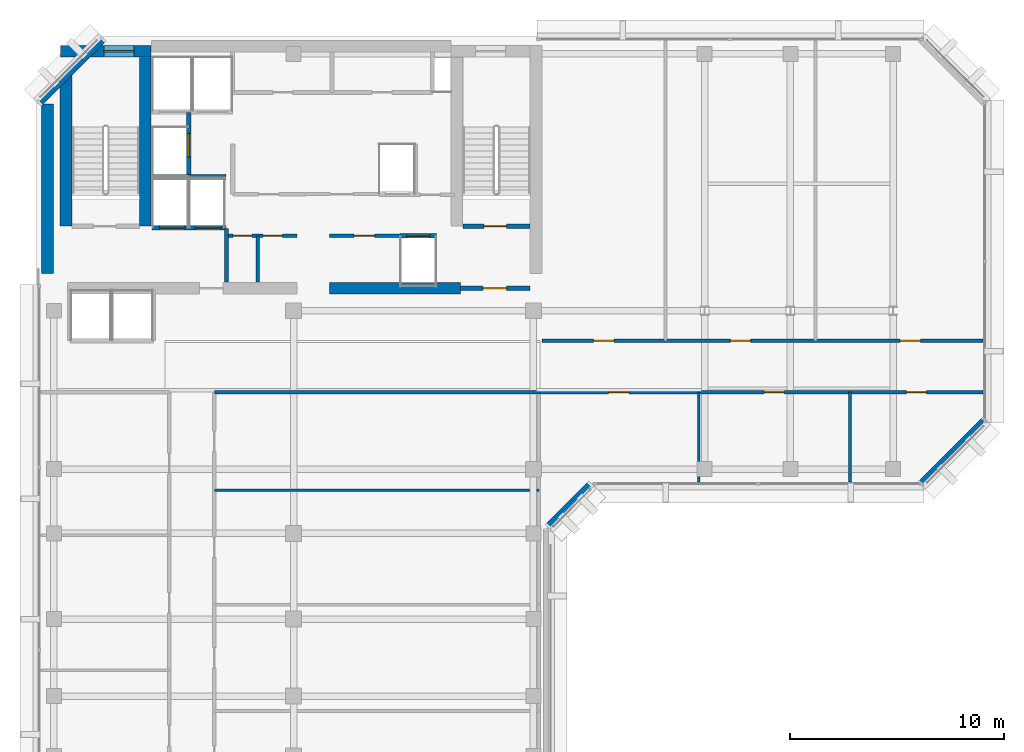
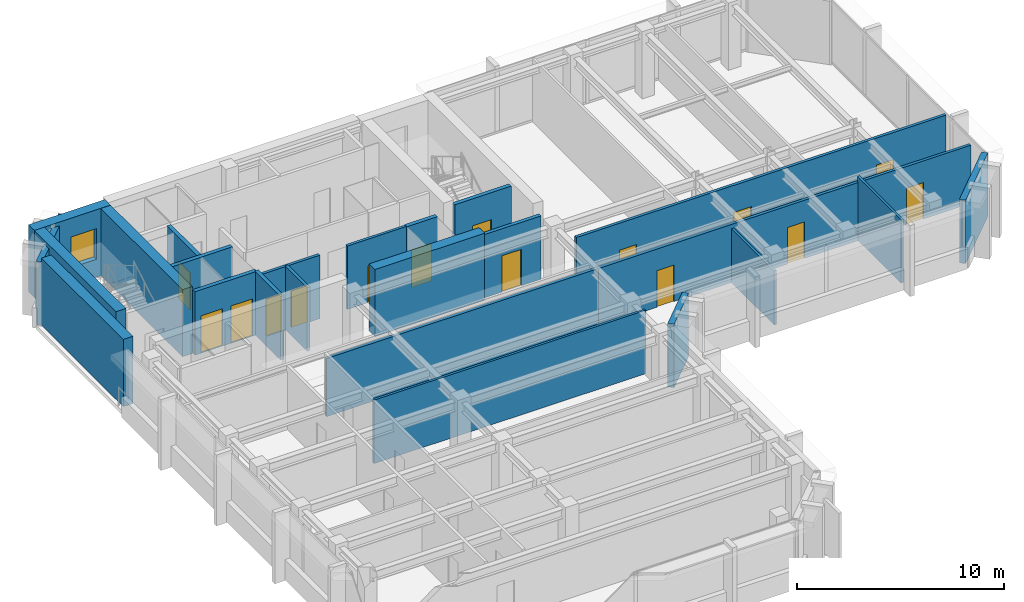
# One storey, part 7 of 11: 24 walls, 15 doors, 1 window, 16 openings.
"""IFC4 building model written with IfcOpenShell, lengths in metres."""

from ifc_helpers import new_model, si_unit, direction, frame, frame_2d, origin, place, context, subcontext, project, spatial, rectangle, extrude, material, layer, layer_set, type_object, element, fill, save


model = new_model("IFC4")

# Units and contexts
model_context = context("Model", 3, precision=1e-05, world=origin(), true_north=direction((0.0, 1.0)))
body_context = subcontext(model_context, "Body", "Model", "MODEL_VIEW")
ifc_project = project(units=[si_unit("LENGTHUNIT", "METRE"), si_unit("AREAUNIT", "SQUARE_METRE"), si_unit("VOLUMEUNIT", "CUBIC_METRE"), si_unit("PLANEANGLEUNIT", "RADIAN"), si_unit("MASSUNIT", "GRAM", prefix="KILO")], contexts=[model_context])

# Site, building, storey
site_placement = place(None, origin())
site = spatial("IfcSite", under=ifc_project, at=site_placement, CompositionType="ELEMENT")
building_placement = place(site_placement, origin())
building = spatial("IfcBuilding", under=site, at=building_placement, Name="Kefirva Bronze Tower", CompositionType="ELEMENT")
storey_placement = place(building_placement, frame((0.0, 0.0, 292.050048828125)))
storey = spatial("IfcBuildingStorey", under=building, at=storey_placement, Name="L71", CompositionType="ELEMENT", Elevation=292.050048828125)

# Walls
ifc_material_1 = material(Name="Gypsum acoustic partition")
ifc_layer_1 = layer(ifc_material_1, 0.1298828125, Name="Gypsum acoustic partition")
ifc_layer_set_1 = layer_set([ifc_layer_1], Name="Gypsum acoustic partition")
wall_type_1 = type_object("IfcWallType", Name="Acoustic Office Partition 130mm", PredefinedType="PARTITIONING", material=ifc_layer_set_1)
wall_1_placement = place(storey_placement, frame((8.300048828125, 24.81591796875, 0.0), z_axis=(0.0, 0.0, 1.0), x_axis=(1.0, 0.0, 0.0)))
element("IfcWall", 1, at=wall_1_placement, inside=storey, type_object=wall_type_1, Name="L71 Partition W-L71-SED3", PredefinedType="PARTITIONING", context=body_context, shape_type="SweptSolid", body=[
    extrude(rectangle(XDim=15.14990234375, YDim=0.1298828125, at=frame_2d((7.574951171875, 0.0))), origin(), (0.0, 0.0, 1.0), 3.739990234375),
])
wall_2_placement = place(storey_placement, frame((30.923583984375, 25.18994140625, 0.0), z_axis=(0.0, 0.0, 1.0), x_axis=(0.0, 1.0, 0.0)))
element("IfcWall", 2, at=wall_2_placement, inside=storey, type_object=wall_type_1, Name="L71 Partition W-L71-ESD1", PredefinedType="PARTITIONING", context=body_context, shape_type="SweptSolid", body=[
    extrude(rectangle(XDim=4.2099609375, YDim=0.1298828125, at=frame_2d((2.10498046875, 0.0))), origin(), (0.0, 0.0, 1.0), 3.175048828125),
])
wall_3_placement = place(storey_placement, frame((37.98193359375, 25.18994140625, 0.0), z_axis=(0.0, 0.0, 1.0), x_axis=(0.0, 1.0, 0.0)))
element("IfcWall", 3, at=wall_3_placement, inside=storey, type_object=wall_type_1, Name="L71 Partition W-L71-ESD2", PredefinedType="PARTITIONING", context=body_context, shape_type="SweptSolid", body=[
    extrude(rectangle(XDim=4.2099609375, YDim=0.1298828125, at=frame_2d((2.10498046875, 0.0))), origin(), (0.0, 0.0, 1.0), 3.739990234375),
])

# Wall, opening, door
ifc_layer_2 = layer(ifc_material_1, 0.14990234375, Name="Gypsum acoustic partition")
ifc_layer_set_2 = layer_set([ifc_layer_2], Name="Gypsum acoustic partition")
wall_type_2 = type_object("IfcWallType", Name="Executive Suite Partition 150mm", PredefinedType="PARTITIONING", material=ifc_layer_set_2)
wall_4_placement = place(storey_placement, frame((13.679931640625, 36.699951171875, 0.0), z_axis=(0.0, 0.0, 1.0), x_axis=(1.0, 0.0, 0.0)))
wall_4 = element("IfcWall", 4, at=wall_4_placement, inside=storey, type_object=wall_type_2, Name="L71 Partition W-L71-RECMP1", PredefinedType="PARTITIONING", context=body_context, shape_type="SweptSolid", body=[
    extrude(rectangle(XDim=3.280029296875, YDim=0.14990234375, at=frame_2d((1.64013671875, 0.0))), origin(), (0.0, 0.0, 1.0), 3.739990234375),
])
opening_1_placement = place(wall_4_placement, frame((1.14990234375, 0.0, 0.0)))
opening_1 = element("IfcOpeningElement", 5, at=opening_1_placement, cuts=wall_4, Name="Opening L71-D-RECMP1", PredefinedType="OPENING", context=body_context, shape_type="SweptSolid", body=[
    extrude(rectangle(XDim=0.949951171875, YDim=2.14990234375, at=frame_2d((0.47509765625, 1.074951171875))), frame((0.0, 0.0849609375, 0.0), z_axis=(0.0, -1.0, 0.0), x_axis=(1.0, 0.0, 0.0)), (0.0, 0.0, 1.0), 0.169921875),
])
ifc_material_2 = material(Name="Acoustic hardwood oak", Category="wood")
door_type_1 = type_object("IfcDoorType", Name="Office & Meeting Room Door 950x2150", OperationType="NOTDEFINED", PredefinedType="DOOR", material=ifc_material_2)
door_1_placement = place(opening_1_placement, origin())
door_1 = element("IfcDoor", 6, at=door_1_placement, inside=storey, type_object=door_type_1, Name="Door L71-D-RECMP1", OperationType="SINGLE_SWING_LEFT", OverallHeight=2.14990234375, OverallWidth=0.949951171875, PredefinedType="DOOR", context=body_context, shape_type="SweptSolid", body=[
    extrude(rectangle(XDim=0.949951171875, YDim=2.14990234375, at=frame_2d((0.47509765625, 1.074951171875))), frame((0.0, 0.02490234375, 0.0), z_axis=(0.0, -1.0, 0.0), x_axis=(1.0, 0.0, 0.0)), (0.0, 0.0, 1.0), 0.050048828125),
])
fill(opening_1, door_1)

ifc_material_3 = material(Name="Gypsum fireboard shaftwall")
ifc_layer_3 = layer(ifc_material_3, 0.219970703125, Name="Gypsum fireboard shaftwall")
ifc_layer_set_3 = layer_set([ifc_layer_3], Name="Gypsum fireboard shaftwall")
wall_type_3 = type_object("IfcWallType", Name="Fire-Rated Shaft Enclosure Wall 220mm", PredefinedType="PARTITIONING", material=ifc_layer_set_3)
wall_5_placement = place(storey_placement, frame((19.89990234375, 37.14990234375, 0.0), z_axis=(0.0, 0.0, 1.0), x_axis=(1.0, 0.0, 0.0)))
wall_5 = element("IfcWall", 7, at=wall_5_placement, inside=storey, type_object=wall_type_3, Name="L71 Partition W-L71-ST2S", PredefinedType="PARTITIONING", context=body_context, shape_type="SweptSolid", body=[
    extrude(rectangle(XDim=3.150146484375, YDim=0.219970703125, at=frame_2d((1.5751953125, 0.0))), origin(), (0.0, 0.0, 1.0), 3.739990234375),
])
opening_2_placement = place(wall_5_placement, frame((2.050048828125, 0.0, 0.0), z_axis=(0.0, 0.0, 1.0), x_axis=(-1.0, 0.0, 0.0)))
opening_2 = element("IfcOpeningElement", 8, at=opening_2_placement, cuts=wall_5, Name="Opening L71-D003", PredefinedType="OPENING", context=body_context, shape_type="SweptSolid", body=[
    extrude(rectangle(XDim=1.050048828125, YDim=2.14990234375, at=frame_2d((0.52490234375, 1.074951171875))), frame((0.0, 0.1201171875, 0.0), z_axis=(0.0, -1.0, 0.0), x_axis=(1.0, 0.0, 0.0)), (0.0, 0.0, 1.0), 0.239990234375),
])
ifc_material_4 = material(Name="Painted galvanized steel", Category="steel")
door_type_2 = type_object("IfcDoorType", Name="Fire Stair Enclosure Door 1050x2150 FD90S", OperationType="NOTDEFINED", PredefinedType="DOOR", material=ifc_material_4)
door_2_placement = place(opening_2_placement, origin())
door_2 = element("IfcDoor", 9, at=door_2_placement, inside=storey, type_object=door_type_2, Name="Door L71-D003", OperationType="SINGLE_SWING_LEFT", OverallHeight=2.14990234375, OverallWidth=1.050048828125, PredefinedType="DOOR", context=body_context, shape_type="SweptSolid", body=[
    extrude(rectangle(XDim=1.050048828125, YDim=2.14990234375, at=frame_2d((0.52490234375, 1.074951171875))), frame((0.0, 0.02490234375, 0.0), z_axis=(0.0, -1.0, 0.0), x_axis=(1.0, 0.0, 0.0)), (0.0, 0.0, 1.0), 0.050048828125),
])
fill(opening_2, door_2)

# Wall, openings, doors
wall_6_placement = place(storey_placement, frame((5.3798828125, 37.080078125, 0.0), z_axis=(0.0, 0.0, 1.0), x_axis=(1.0, 0.0, 0.0)))
wall_6 = element("IfcWall", 10, at=wall_6_placement, inside=storey, type_object=wall_type_3, Name="L71 Partition W-L71-FFS", PredefinedType="PARTITIONING", context=body_context, shape_type="SweptSolid", body=[
    extrude(rectangle(XDim=3.460205078125, YDim=0.219970703125, at=frame_2d((1.72998046875, 0.0))), origin(), (0.0, 0.0, 1.0), 3.739990234375),
])
opening_3_placement = place(wall_6_placement, frame((1.550048828125, 0.0, 0.0), z_axis=(0.0, 0.0, 1.0), x_axis=(-1.0, 0.0, 0.0)))
opening_3 = element("IfcOpeningElement", 11, at=opening_3_placement, cuts=wall_6, Name="Opening L71-LD-FF1", PredefinedType="OPENING", context=body_context, shape_type="SweptSolid", body=[
    extrude(rectangle(XDim=1.199951171875, YDim=2.199951171875, at=frame_2d((0.60009765625, 1.10009765625))), frame((0.0, 0.1201171875, 0.0), z_axis=(0.0, -1.0, 0.0), x_axis=(1.0, 0.0, 0.0)), (0.0, 0.0, 1.0), 0.239990234375),
])
opening_4_placement = place(wall_6_placement, frame((3.219970703125, 0.0, 0.0), z_axis=(0.0, 0.0, 1.0), x_axis=(-1.0, 0.0, 0.0)))
opening_4 = element("IfcOpeningElement", 12, at=opening_4_placement, cuts=wall_6, Name="Opening L71-LD-FF2", PredefinedType="OPENING", context=body_context, shape_type="SweptSolid", body=[
    extrude(rectangle(XDim=1.199951171875, YDim=2.199951171875, at=frame_2d((0.60009765625, 1.10009765625))), frame((0.0, 0.1201171875, 0.0), z_axis=(0.0, -1.0, 0.0), x_axis=(1.0, 0.0, 0.0)), (0.0, 0.0, 1.0), 0.239990234375),
])
ifc_material_5 = material(Name="Stainless steel 316", Category="steel")
door_type_3 = type_object("IfcDoorType", Name="Firefighting Lift Sliding Door 1200x2200", OperationType="SLIDING_TO_RIGHT", PredefinedType="DOOR", material=ifc_material_5)
door_3_placement = place(opening_3_placement, origin())
door_3 = element("IfcDoor", 13, at=door_3_placement, inside=storey, type_object=door_type_3, Name="Door L71-LD-FF1", OperationType="SLIDING_TO_RIGHT", OverallHeight=2.199951171875, OverallWidth=1.199951171875, PredefinedType="DOOR", context=body_context, shape_type="SweptSolid", body=[
    extrude(rectangle(XDim=1.199951171875, YDim=2.199951171875, at=frame_2d((0.60009765625, 1.10009765625))), frame((0.0, 0.02490234375, 0.0), z_axis=(0.0, -1.0, 0.0), x_axis=(1.0, 0.0, 0.0)), (0.0, 0.0, 1.0), 0.050048828125),
])
fill(opening_3, door_3)
door_4_placement = place(opening_4_placement, origin())
door_4 = element("IfcDoor", 14, at=door_4_placement, inside=storey, type_object=door_type_3, Name="Door L71-LD-FF2", OperationType="SLIDING_TO_RIGHT", OverallHeight=2.199951171875, OverallWidth=1.199951171875, PredefinedType="DOOR", context=body_context, shape_type="SweptSolid", body=[
    extrude(rectangle(XDim=1.199951171875, YDim=2.199951171875, at=frame_2d((0.60009765625, 1.10009765625))), frame((0.0, 0.02490234375, 0.0), z_axis=(0.0, -1.0, 0.0), x_axis=(1.0, 0.0, 0.0)), (0.0, 0.0, 1.0), 0.050048828125),
])
fill(opening_4, door_4)

# Wall
wall_7_placement = place(storey_placement, frame((5.3798828125, 39.449951171875, 0.0), z_axis=(0.0, 0.0, 1.0), x_axis=(1.0, 0.0, 0.0)))
element("IfcWall", 15, at=wall_7_placement, inside=storey, type_object=wall_type_3, Name="L71 Partition W-L71-FFN", PredefinedType="PARTITIONING", context=body_context, shape_type="SweptSolid", body=[
    extrude(rectangle(XDim=3.460205078125, YDim=0.219970703125, at=frame_2d((1.72998046875, 0.0))), origin(), (0.0, 0.0, 1.0), 3.739990234375),
])

# Wall, opening, door
wall_8_placement = place(storey_placement, frame((7.10009765625, 39.52001953125, 0.0), z_axis=(0.0, 0.0, 1.0), x_axis=(0.0, 1.0, 0.0)))
wall_8 = element("IfcWall", 16, at=wall_8_placement, inside=storey, type_object=wall_type_3, Name="L71 Partition W-L71-HP3E", PredefinedType="PARTITIONING", context=body_context, shape_type="SweptSolid", body=[
    extrude(rectangle(XDim=2.929931640625, YDim=0.219970703125, at=frame_2d((1.46484375, 0.0))), origin(), (0.0, 0.0, 1.0), 3.739990234375),
])
opening_5_placement = place(wall_8_placement, frame((0.85009765625, 0.0, 0.0)))
opening_5 = element("IfcOpeningElement", 17, at=opening_5_placement, cuts=wall_8, Name="Opening L71-LD-HP3", PredefinedType="OPENING", context=body_context, shape_type="SweptSolid", body=[
    extrude(rectangle(XDim=1.10009765625, YDim=2.199951171875, at=frame_2d((0.550048828125, 1.10009765625))), frame((0.0, 0.1201171875, 0.0), z_axis=(0.0, -1.0, 0.0), x_axis=(1.0, 0.0, 0.0)), (0.0, 0.0, 1.0), 0.239990234375),
])
door_type_4 = type_object("IfcDoorType", Name="Passenger Lift Sliding Landing Door 1100x2200", OperationType="SLIDING_TO_LEFT", PredefinedType="DOOR", material=ifc_material_5)
door_5_placement = place(opening_5_placement, origin())
door_5 = element("IfcDoor", 18, at=door_5_placement, inside=storey, type_object=door_type_4, Name="Door L71-LD-HP3", OperationType="SLIDING_TO_LEFT", OverallHeight=2.199951171875, OverallWidth=1.10009765625, PredefinedType="DOOR", context=body_context, shape_type="SweptSolid", body=[
    extrude(rectangle(XDim=1.10009765625, YDim=2.199951171875, at=frame_2d((0.550048828125, 1.10009765625))), frame((0.0, 0.02490234375, 0.0), z_axis=(0.0, -1.0, 0.0), x_axis=(1.0, 0.0, 0.0)), (0.0, 0.0, 1.0), 0.050048828125),
])
fill(opening_5, door_5)

wall_9_placement = place(storey_placement, frame((16.97998046875, 36.699951171875, 0.0), z_axis=(0.0, 0.0, 1.0), x_axis=(1.0, 0.0, 0.0)))
wall_9 = element("IfcWall", 19, at=wall_9_placement, inside=storey, type_object=wall_type_3, Name="L71 Partition W-L71-HPS", PredefinedType="PARTITIONING", context=body_context, shape_type="SweptSolid", body=[
    extrude(rectangle(XDim=1.699951171875, YDim=0.219970703125, at=frame_2d((0.85009765625, 0.0))), origin(), (0.0, 0.0, 1.0), 3.739990234375),
])
opening_6_placement = place(wall_9_placement, frame((0.300048828125, 0.0, 0.0)))
opening_6 = element("IfcOpeningElement", 20, at=opening_6_placement, cuts=wall_9, Name="Opening L71-LD-HP1", PredefinedType="OPENING", context=body_context, shape_type="SweptSolid", body=[
    extrude(rectangle(XDim=1.10009765625, YDim=2.199951171875, at=frame_2d((0.550048828125, 1.10009765625))), frame((0.0, 0.1201171875, 0.0), z_axis=(0.0, -1.0, 0.0), x_axis=(1.0, 0.0, 0.0)), (0.0, 0.0, 1.0), 0.239990234375),
])
door_6_placement = place(opening_6_placement, origin())
door_6 = element("IfcDoor", 21, at=door_6_placement, inside=storey, type_object=door_type_4, Name="Door L71-LD-HP1", OperationType="SLIDING_TO_LEFT", OverallHeight=2.199951171875, OverallWidth=1.10009765625, PredefinedType="DOOR", context=body_context, shape_type="SweptSolid", body=[
    extrude(rectangle(XDim=1.10009765625, YDim=2.199951171875, at=frame_2d((0.550048828125, 1.10009765625))), frame((0.0, 0.02490234375, 0.0), z_axis=(0.0, -1.0, 0.0), x_axis=(1.0, 0.0, 0.0)), (0.0, 0.0, 1.0), 0.050048828125),
])
fill(opening_6, door_6)

# Wall
ifc_material_6 = material(Name="Gypsum fireboard barrier")
ifc_layer_4 = layer(ifc_material_6, 0.199951171875, Name="Gypsum fireboard barrier")
ifc_layer_set_4 = layer_set([ifc_layer_4], Name="Gypsum fireboard barrier")
wall_type_4 = type_object("IfcWallType", Name="Firefighting Lobby Barrier Wall 200mm", PredefinedType="PARTITIONING", material=ifc_layer_set_4)
wall_10_placement = place(storey_placement, frame((8.860107421875, 34.550048828125, 0.0), z_axis=(0.0, 0.0, 1.0), x_axis=(0.0, 1.0, 0.0)))
element("IfcWall", 22, at=wall_10_placement, inside=storey, type_object=wall_type_4, Name="L71 Partition W-L71-FFLE", PredefinedType="PARTITIONING", context=body_context, shape_type="SweptSolid", body=[
    extrude(rectangle(XDim=2.5, YDim=0.199951171875, at=frame_2d((1.25, 0.0))), origin(), (0.0, 0.0, 1.0), 3.739990234375),
])

# Wall, opening, door
wall_11_placement = place(storey_placement, frame((19.800048828125, 34.25, 0.0), z_axis=(0.0, 0.0, 1.0), x_axis=(1.0, 0.0, 0.0)))
wall_11 = element("IfcWall", 23, at=wall_11_placement, inside=storey, type_object=wall_type_4, Name="L71 Partition W-L71-ST2F", PredefinedType="PARTITIONING", context=body_context, shape_type="SweptSolid", body=[
    extrude(rectangle(XDim=3.25, YDim=0.199951171875, at=frame_2d((1.625, 0.0))), origin(), (0.0, 0.0, 1.0), 3.739990234375),
])
opening_7_placement = place(wall_11_placement, frame((2.150146484375, 0.0, 0.0), z_axis=(0.0, 0.0, 1.0), x_axis=(-1.0, 0.0, 0.0)))
opening_7 = element("IfcOpeningElement", 24, at=opening_7_placement, cuts=wall_11, Name="Opening L71-D004", PredefinedType="OPENING", context=body_context, shape_type="SweptSolid", body=[
    extrude(rectangle(XDim=1.10009765625, YDim=2.14990234375, at=frame_2d((0.550048828125, 1.074951171875))), frame((0.0, 0.10986328125, 0.0), z_axis=(0.0, -1.0, 0.0), x_axis=(1.0, 0.0, 0.0)), (0.0, 0.0, 1.0), 0.219970703125),
])
door_type_5 = type_object("IfcDoorType", Name="Firefighting Lobby Smoke Door 1100x2150 FD60S", OperationType="NOTDEFINED", PredefinedType="DOOR", material=ifc_material_4)
door_7_placement = place(opening_7_placement, origin())
door_7 = element("IfcDoor", 25, at=door_7_placement, inside=storey, type_object=door_type_5, Name="Door L71-D004", OperationType="SINGLE_SWING_RIGHT", OverallHeight=2.14990234375, OverallWidth=1.10009765625, PredefinedType="DOOR", context=body_context, shape_type="SweptSolid", body=[
    extrude(rectangle(XDim=1.10009765625, YDim=2.14990234375, at=frame_2d((0.550048828125, 1.074951171875))), frame((0.0, 0.02490234375, 0.0), z_axis=(0.0, -1.0, 0.0), x_axis=(1.0, 0.0, 0.0)), (0.0, 0.0, 1.0), 0.050048828125),
])
fill(opening_7, door_7)

# Walls
ifc_material_7 = material(Name="Precast concrete C40/50", Category="concrete")
ifc_layer_5 = layer(ifc_material_7, 0.320068359375, Name="Precast concrete C40/50")
ifc_layer_set_5 = layer_set([ifc_layer_5], Name="Precast concrete C40/50")
wall_type_5 = type_object("IfcWallType", Name="Precast Insulated Exterior Wall 320mm", PredefinedType="SOLIDWALL", material=ifc_layer_set_5)
wall_12_placement = place(storey_placement, frame((23.92578125, 23.152099609375, 0.0), z_axis=(0.0, 0.0, 1.0), x_axis=(0.707106781187, 0.707106781187, 0.0)))
element("IfcWall", 26, at=wall_12_placement, inside=storey, type_object=wall_type_5, Name="L71 Exterior Facade Wall 3", PredefinedType="SOLIDWALL", context=body_context, shape_type="SweptSolid", body=[
    extrude(rectangle(XDim=2.71826171875, YDim=0.320068359375, at=frame_2d((1.359130859375, 0.0))), origin(), (0.0, 0.0, 1.0), 3.739990234375),
])
for number, where, z_axis, x_axis, name in (
    (27, (41.32568359375, 25.152099609375, 0.0), (0.0, 0.0, 1.0), (0.707136318428, 0.707077242712, 0.0), "L71 Exterior Facade Wall 4"),
    (28, (3.07421875, 45.847900390625, 0.0), (0.0, 0.0, 1.0), (-0.707106781187, -0.707106781187, 0.0), "L71 Exterior Facade Wall 6"),
):
    element("IfcWall", number, at=place(storey_placement, frame(where, z_axis=z_axis, x_axis=x_axis)), inside=storey, type_object=wall_type_5, Name=name, PredefinedType="SOLIDWALL", context=body_context, shape_type="SweptSolid", body=[
        extrude(rectangle(XDim=4.132568359375, YDim=0.320068359375, at=frame_2d((2.06640625, 0.0))), origin(), (0.0, 0.0, 1.0), 3.739990234375),
    ])

# Wall, openings, doors
ifc_layer_6 = layer(ifc_material_1, 0.159912109375, Name="Gypsum acoustic partition")
ifc_layer_set_6 = layer_set([ifc_layer_6], Name="Gypsum acoustic partition")
wall_type_6 = type_object("IfcWallType", Name="Protected Corridor Partition 160mm", PredefinedType="PARTITIONING", material=ifc_layer_set_6)
wall_13_placement = place(storey_placement, frame((8.89990234375, 36.699951171875, 0.0), z_axis=(0.0, 0.0, 1.0), x_axis=(1.0, 0.0, 0.0)))
wall_13 = element("IfcWall", 29, at=wall_13_placement, inside=storey, type_object=wall_type_6, Name="L71 Partition W-L71-RECLP1", PredefinedType="PARTITIONING", context=body_context, shape_type="SweptSolid", body=[
    extrude(rectangle(XDim=3.25, YDim=0.159912109375, at=frame_2d((1.625, 0.0))), origin(), (0.0, 0.0, 1.0), 3.739990234375),
])
opening_8_placement = place(wall_13_placement, frame((0.260009765625, 0.0, 0.0)))
opening_8 = element("IfcOpeningElement", 30, at=opening_8_placement, cuts=wall_13, Name="Opening L71-D-RECLP1A", PredefinedType="OPENING", context=body_context, shape_type="SweptSolid", body=[
    extrude(rectangle(XDim=0.89990234375, YDim=2.14990234375, at=frame_2d((0.449951171875, 1.074951171875))), frame((0.0, 0.08984375, 0.0), z_axis=(0.0, -1.0, 0.0), x_axis=(1.0, 0.0, 0.0)), (0.0, 0.0, 1.0), 0.179931640625),
])
opening_9_placement = place(wall_13_placement, frame((1.679931640625, 0.0, 0.0)))
opening_9 = element("IfcOpeningElement", 31, at=opening_9_placement, cuts=wall_13, Name="Opening L71-D-RECLP1B", PredefinedType="OPENING", context=body_context, shape_type="SweptSolid", body=[
    extrude(rectangle(XDim=0.89990234375, YDim=2.14990234375, at=frame_2d((0.449951171875, 1.074951171875))), frame((0.0, 0.08984375, 0.0), z_axis=(0.0, -1.0, 0.0), x_axis=(1.0, 0.0, 0.0)), (0.0, 0.0, 1.0), 0.179931640625),
])
door_type_6 = type_object("IfcDoorType", Name="Core Archive & Server Fire Door 900x2150 FD60S", OperationType="NOTDEFINED", PredefinedType="DOOR", material=ifc_material_4)
door_8_placement = place(opening_8_placement, origin())
door_8 = element("IfcDoor", 32, at=door_8_placement, inside=storey, type_object=door_type_6, Name="Door L71-D-RECLP1A", OperationType="SINGLE_SWING_RIGHT", OverallHeight=2.14990234375, OverallWidth=0.89990234375, PredefinedType="DOOR", context=body_context, shape_type="SweptSolid", body=[
    extrude(rectangle(XDim=0.89990234375, YDim=2.14990234375, at=frame_2d((0.449951171875, 1.074951171875))), frame((0.0, 0.02490234375, 0.0), z_axis=(0.0, -1.0, 0.0), x_axis=(1.0, 0.0, 0.0)), (0.0, 0.0, 1.0), 0.050048828125),
])
fill(opening_8, door_8)
door_9_placement = place(opening_9_placement, origin())
door_9 = element("IfcDoor", 33, at=door_9_placement, inside=storey, type_object=door_type_6, Name="Door L71-D-RECLP1B", OperationType="SINGLE_SWING_LEFT", OverallHeight=2.14990234375, OverallWidth=0.89990234375, PredefinedType="DOOR", context=body_context, shape_type="SweptSolid", body=[
    extrude(rectangle(XDim=0.89990234375, YDim=2.14990234375, at=frame_2d((0.449951171875, 1.074951171875))), frame((0.0, 0.02490234375, 0.0), z_axis=(0.0, -1.0, 0.0), x_axis=(1.0, 0.0, 0.0)), (0.0, 0.0, 1.0), 0.050048828125),
])
fill(opening_9, door_9)

# Walls
wall_14_placement = place(storey_placement, frame((10.320068359375, 34.550048828125, 0.0), z_axis=(0.0, 0.0, 1.0), x_axis=(0.0, 1.0, 0.0)))
element("IfcWall", 34, at=wall_14_placement, inside=storey, type_object=wall_type_6, Name="L71 Partition W-L71-RECLP1D", PredefinedType="PARTITIONING", context=body_context, shape_type="SweptSolid", body=[
    extrude(rectangle(XDim=2.14990234375, YDim=0.159912109375, at=frame_2d((1.074951171875, 0.0))), origin(), (0.0, 0.0, 1.0), 3.739990234375),
])
wall_15_placement = place(storey_placement, frame((8.300048828125, 29.39990234375, 0.0), z_axis=(0.0, 0.0, 1.0), x_axis=(1.0, 0.0, 0.0)))
element("IfcWall", 35, at=wall_15_placement, inside=storey, type_object=wall_type_6, Name="L71 Partition W-L71-NET", PredefinedType="PARTITIONING", context=body_context, shape_type="SweptSolid", body=[
    extrude(rectangle(XDim=15.14990234375, YDim=0.159912109375, at=frame_2d((7.574951171875, 0.0))), origin(), (0.0, 0.0, 1.0), 3.425048828125),
])

# Wall, openings, doors
wall_16_placement = place(storey_placement, frame((23.449951171875, 29.39990234375, 0.0), z_axis=(0.0, 0.0, 1.0), x_axis=(1.0, 0.0, 0.0)))
wall_16 = element("IfcWall", 36, at=wall_16_placement, inside=storey, type_object=wall_type_6, Name="L71 Partition W-L71-EWS", PredefinedType="PARTITIONING", context=body_context, shape_type="SweptSolid", body=[
    extrude(rectangle(XDim=20.760009765625, YDim=0.159912109375, at=frame_2d((10.3798828125, 0.0))), origin(), (0.0, 0.0, 1.0), 3.425048828125),
])
opening_10_placement = place(wall_16_placement, frame((4.211669921875, 0.0, 0.0), z_axis=(0.0, 0.0, 1.0), x_axis=(-1.0, 0.0, 0.0)))
opening_10 = element("IfcOpeningElement", 37, at=opening_10_placement, cuts=wall_16, Name="Opening L71-D-ES1", PredefinedType="OPENING", context=body_context, shape_type="SweptSolid", body=[
    extrude(rectangle(XDim=0.949951171875, YDim=2.14990234375, at=frame_2d((0.47509765625, 1.074951171875))), frame((0.0, 0.08984375, 0.0), z_axis=(0.0, -1.0, 0.0), x_axis=(1.0, 0.0, 0.0)), (0.0, 0.0, 1.0), 0.179931640625),
])
opening_11_placement = place(wall_16_placement, frame((11.477783203125, 0.0, 0.0), z_axis=(0.0, 0.0, 1.0), x_axis=(-1.0, 0.0, 0.0)))
opening_11 = element("IfcOpeningElement", 38, at=opening_11_placement, cuts=wall_16, Name="Opening L71-D-ES2", PredefinedType="OPENING", context=body_context, shape_type="SweptSolid", body=[
    extrude(rectangle(XDim=0.949951171875, YDim=2.14990234375, at=frame_2d((0.47509765625, 1.074951171875))), frame((0.0, 0.08984375, 0.0), z_axis=(0.0, -1.0, 0.0), x_axis=(1.0, 0.0, 0.0)), (0.0, 0.0, 1.0), 0.179931640625),
])
opening_12_placement = place(wall_16_placement, frame((18.120849609375, 0.0, 0.0), z_axis=(0.0, 0.0, 1.0), x_axis=(-1.0, 0.0, 0.0)))
opening_12 = element("IfcOpeningElement", 39, at=opening_12_placement, cuts=wall_16, Name="Opening L71-D-ES3", PredefinedType="OPENING", context=body_context, shape_type="SweptSolid", body=[
    extrude(rectangle(XDim=0.949951171875, YDim=2.14990234375, at=frame_2d((0.47509765625, 1.074951171875))), frame((0.0, 0.08984375, 0.0), z_axis=(0.0, -1.0, 0.0), x_axis=(1.0, 0.0, 0.0)), (0.0, 0.0, 1.0), 0.179931640625),
])
door_10_placement = place(opening_10_placement, origin())
door_10 = element("IfcDoor", 40, at=door_10_placement, inside=storey, type_object=door_type_1, Name="Door L71-D-ES1", OperationType="SINGLE_SWING_LEFT", OverallHeight=2.14990234375, OverallWidth=0.949951171875, PredefinedType="DOOR", context=body_context, shape_type="SweptSolid", body=[
    extrude(rectangle(XDim=0.949951171875, YDim=2.14990234375, at=frame_2d((0.47509765625, 1.074951171875))), frame((0.0, 0.02490234375, 0.0), z_axis=(0.0, -1.0, 0.0), x_axis=(1.0, 0.0, 0.0)), (0.0, 0.0, 1.0), 0.050048828125),
])
fill(opening_10, door_10)
door_11_placement = place(opening_11_placement, origin())
door_11 = element("IfcDoor", 41, at=door_11_placement, inside=storey, type_object=door_type_1, Name="Door L71-D-ES2", OperationType="SINGLE_SWING_RIGHT", OverallHeight=2.14990234375, OverallWidth=0.949951171875, PredefinedType="DOOR", context=body_context, shape_type="SweptSolid", body=[
    extrude(rectangle(XDim=0.949951171875, YDim=2.14990234375, at=frame_2d((0.47509765625, 1.074951171875))), frame((0.0, 0.02490234375, 0.0), z_axis=(0.0, -1.0, 0.0), x_axis=(1.0, 0.0, 0.0)), (0.0, 0.0, 1.0), 0.050048828125),
])
fill(opening_11, door_11)
door_12_placement = place(opening_12_placement, origin())
door_12 = element("IfcDoor", 42, at=door_12_placement, inside=storey, type_object=door_type_1, Name="Door L71-D-ES3", OperationType="SINGLE_SWING_LEFT", OverallHeight=2.14990234375, OverallWidth=0.949951171875, PredefinedType="DOOR", context=body_context, shape_type="SweptSolid", body=[
    extrude(rectangle(XDim=0.949951171875, YDim=2.14990234375, at=frame_2d((0.47509765625, 1.074951171875))), frame((0.0, 0.02490234375, 0.0), z_axis=(0.0, -1.0, 0.0), x_axis=(1.0, 0.0, 0.0)), (0.0, 0.0, 1.0), 0.050048828125),
])
fill(opening_12, door_12)

wall_17_placement = place(storey_placement, frame((23.60009765625, 31.800048828125, 0.0), z_axis=(0.0, 0.0, 1.0), x_axis=(1.0, 0.0, 0.0)))
wall_17 = element("IfcWall", 43, at=wall_17_placement, inside=storey, type_object=wall_type_6, Name="L71 Partition W-L71-EWN", PredefinedType="PARTITIONING", context=body_context, shape_type="SweptSolid", body=[
    extrude(rectangle(XDim=20.60986328125, YDim=0.159912109375, at=frame_2d((10.304931640625, 0.0))), origin(), (0.0, 0.0, 1.0), 3.739990234375),
])
opening_13_placement = place(wall_17_placement, frame((2.410400390625, 0.0, 0.0)))
opening_13 = element("IfcOpeningElement", 44, at=opening_13_placement, cuts=wall_17, Name="Opening L71-D-EN1", PredefinedType="OPENING", context=body_context, shape_type="SweptSolid", body=[
    extrude(rectangle(XDim=0.949951171875, YDim=2.14990234375, at=frame_2d((0.47509765625, 1.074951171875))), frame((0.0, 0.08984375, 0.0), z_axis=(0.0, -1.0, 0.0), x_axis=(1.0, 0.0, 0.0)), (0.0, 0.0, 1.0), 0.179931640625),
])
opening_14_placement = place(wall_17_placement, frame((8.799560546875, 0.0, 0.0)))
opening_14 = element("IfcOpeningElement", 45, at=opening_14_placement, cuts=wall_17, Name="Opening L71-D-EN2", PredefinedType="OPENING", context=body_context, shape_type="SweptSolid", body=[
    extrude(rectangle(XDim=0.949951171875, YDim=2.14990234375, at=frame_2d((0.47509765625, 1.074951171875))), frame((0.0, 0.08984375, 0.0), z_axis=(0.0, -1.0, 0.0), x_axis=(1.0, 0.0, 0.0)), (0.0, 0.0, 1.0), 0.179931640625),
])
opening_15_placement = place(wall_17_placement, frame((16.718994140625, 0.0, 0.0)))
opening_15 = element("IfcOpeningElement", 46, at=opening_15_placement, cuts=wall_17, Name="Opening L71-D-EN3", PredefinedType="OPENING", context=body_context, shape_type="SweptSolid", body=[
    extrude(rectangle(XDim=0.949951171875, YDim=2.14990234375, at=frame_2d((0.47509765625, 1.074951171875))), frame((0.0, 0.08984375, 0.0), z_axis=(0.0, -1.0, 0.0), x_axis=(1.0, 0.0, 0.0)), (0.0, 0.0, 1.0), 0.179931640625),
])
door_13_placement = place(opening_13_placement, origin())
door_13 = element("IfcDoor", 47, at=door_13_placement, inside=storey, type_object=door_type_1, Name="Door L71-D-EN1", OperationType="SINGLE_SWING_RIGHT", OverallHeight=2.14990234375, OverallWidth=0.949951171875, PredefinedType="DOOR", context=body_context, shape_type="SweptSolid", body=[
    extrude(rectangle(XDim=0.949951171875, YDim=2.14990234375, at=frame_2d((0.47509765625, 1.074951171875))), frame((0.0, 0.02490234375, 0.0), z_axis=(0.0, -1.0, 0.0), x_axis=(1.0, 0.0, 0.0)), (0.0, 0.0, 1.0), 0.050048828125),
])
fill(opening_13, door_13)
door_14_placement = place(opening_14_placement, origin())
door_14 = element("IfcDoor", 48, at=door_14_placement, inside=storey, type_object=door_type_1, Name="Door L71-D-EN2", OperationType="SINGLE_SWING_LEFT", OverallHeight=2.14990234375, OverallWidth=0.949951171875, PredefinedType="DOOR", context=body_context, shape_type="SweptSolid", body=[
    extrude(rectangle(XDim=0.949951171875, YDim=2.14990234375, at=frame_2d((0.47509765625, 1.074951171875))), frame((0.0, 0.02490234375, 0.0), z_axis=(0.0, -1.0, 0.0), x_axis=(1.0, 0.0, 0.0)), (0.0, 0.0, 1.0), 0.050048828125),
])
fill(opening_14, door_14)
door_15_placement = place(opening_15_placement, origin())
door_15 = element("IfcDoor", 49, at=door_15_placement, inside=storey, type_object=door_type_1, Name="Door L71-D-EN3", OperationType="SINGLE_SWING_RIGHT", OverallHeight=2.14990234375, OverallWidth=0.949951171875, PredefinedType="DOOR", context=body_context, shape_type="SweptSolid", body=[
    extrude(rectangle(XDim=0.949951171875, YDim=2.14990234375, at=frame_2d((0.47509765625, 1.074951171875))), frame((0.0, 0.02490234375, 0.0), z_axis=(0.0, -1.0, 0.0), x_axis=(1.0, 0.0, 0.0)), (0.0, 0.0, 1.0), 0.050048828125),
])
fill(opening_15, door_15)

# Wall
ifc_material_8 = material(Name="Concrete C50/60", Category="concrete")
ifc_layer_7 = layer(ifc_material_8, 0.550048828125, Name="Concrete C50/60")
ifc_layer_set_7 = layer_set([ifc_layer_7], Name="Concrete C50/60")
wall_type_7 = type_object("IfcWallType", Name="RC Rear Core Exterior Wall 550mm", PredefinedType="SHEAR", material=ifc_layer_set_7)
wall_18_placement = place(storey_placement, frame((0.5, 34.949951171875, 0.0), z_axis=(0.0, 0.0, 1.0), x_axis=(0.0, 1.0, 0.0)))
element("IfcWall", 50, at=wall_18_placement, inside=storey, type_object=wall_type_7, Name="L71 Rear Core West Shear Wall", PredefinedType="SHEAR", context=body_context, shape_type="SweptSolid", body=[
    extrude(rectangle(XDim=7.900146484375, YDim=0.550048828125, at=frame_2d((3.9501953125, 0.0))), origin(), (0.0, 0.0, 1.0), 3.9599609375),
])

# Wall, opening, window
wall_19_placement = place(storey_placement, frame((1.10009765625, 45.320068359375, 0.0), z_axis=(0.0, 0.0, 1.0), x_axis=(1.0, 0.0, 0.0)))
wall_19 = element("IfcWall", 51, at=wall_19_placement, inside=storey, type_object=wall_type_7, Name="L71 Stair 1 North Shear Wall", PredefinedType="SHEAR", context=body_context, shape_type="SweptSolid", body=[
    extrude(rectangle(XDim=4.239990234375, YDim=0.550048828125, at=frame_2d((2.1201171875, 0.0))), origin(), (0.0, 0.0, 1.0), 3.9599609375),
])
opening_16_placement = place(wall_19_placement, frame((2.050048828125, 0.0, 1.050048828125)))
opening_16 = element("IfcOpeningElement", 52, at=opening_16_placement, cuts=wall_19, Name="Opening WN-03", PredefinedType="OPENING", context=body_context, shape_type="SweptSolid", body=[
    extrude(rectangle(XDim=1.39990234375, YDim=1.800048828125, at=frame_2d((0.699951171875, 0.89990234375))), frame((0.0, 0.28515625, 0.0), z_axis=(0.0, -1.0, 0.0), x_axis=(1.0, 0.0, 0.0)), (0.0, 0.0, 1.0), 0.570068359375),
])
ifc_material_9 = material(Name="Laminated low-E double glazing", Category="glass")
window_type = type_object("IfcWindowType", Name="Rear-Core Stair Daylight Window 1400x1800", PartitioningType="SINGLE_PANEL", PredefinedType="WINDOW", material=ifc_material_9)
window_placement = place(opening_16_placement, origin())
window = element("IfcWindow", 53, at=window_placement, inside=storey, type_object=window_type, Name="L71 Stair 1 Daylight Window", OverallHeight=1.800048828125, OverallWidth=1.39990234375, PartitioningType="SINGLE_PANEL", PredefinedType="WINDOW", context=body_context, shape_type="SweptSolid", body=[
    extrude(rectangle(XDim=1.39990234375, YDim=1.800048828125, at=frame_2d((0.699951171875, 0.89990234375))), frame((0.0, 0.030029296875, 0.0), z_axis=(0.0, -1.0, 0.0), x_axis=(1.0, 0.0, 0.0)), (0.0, 0.0, 1.0), 0.06005859375),
])
fill(opening_16, window)

# Walls
ifc_layer_8 = layer(ifc_material_8, 0.550048828125, Name="Concrete C50/60")
ifc_layer_set_8 = layer_set([ifc_layer_8], Name="Concrete C50/60")
wall_type_8 = type_object("IfcWallType", Name="RC Rear Core Interior Wall 550mm", PredefinedType="SHEAR", material=ifc_layer_set_8)
wall_20_placement = place(storey_placement, frame((13.679931640625, 34.25, 0.0), z_axis=(0.0, 0.0, 1.0), x_axis=(1.0, 0.0, 0.0)))
element("IfcWall", 54, at=wall_20_placement, inside=storey, type_object=wall_type_8, Name="L71 Rear Core South-East Shear Wall", PredefinedType="SHEAR", context=body_context, shape_type="SweptSolid", body=[
    extrude(rectangle(XDim=6.1201171875, YDim=0.550048828125, at=frame_2d((3.06005859375, 0.0))), origin(), (0.0, 0.0, 1.0), 3.9599609375),
])
for number, where, z_axis, x_axis, name in (
    (55, (1.3701171875, 37.14990234375, 0.0), (0.0, 0.0, 1.0), (0.0, 1.0, 0.0), "L71 Stair 1 West Shear Wall"),
    (56, (5.070068359375, 37.14990234375, 0.0), (0.0, 0.0, 1.0), (0.0, 1.0, 0.0), "L71 Stair 1 East Shear Wall"),
):
    element("IfcWall", number, at=place(storey_placement, frame(where, z_axis=z_axis, x_axis=x_axis)), inside=storey, type_object=wall_type_8, Name=name, PredefinedType="SHEAR", context=body_context, shape_type="SweptSolid", body=[
        extrude(rectangle(XDim=7.89013671875, YDim=0.550048828125, at=frame_2d((3.945068359375, 0.0))), origin(), (0.0, 0.0, 1.0), 3.9599609375),
    ])

save(model, "model.ifc")
